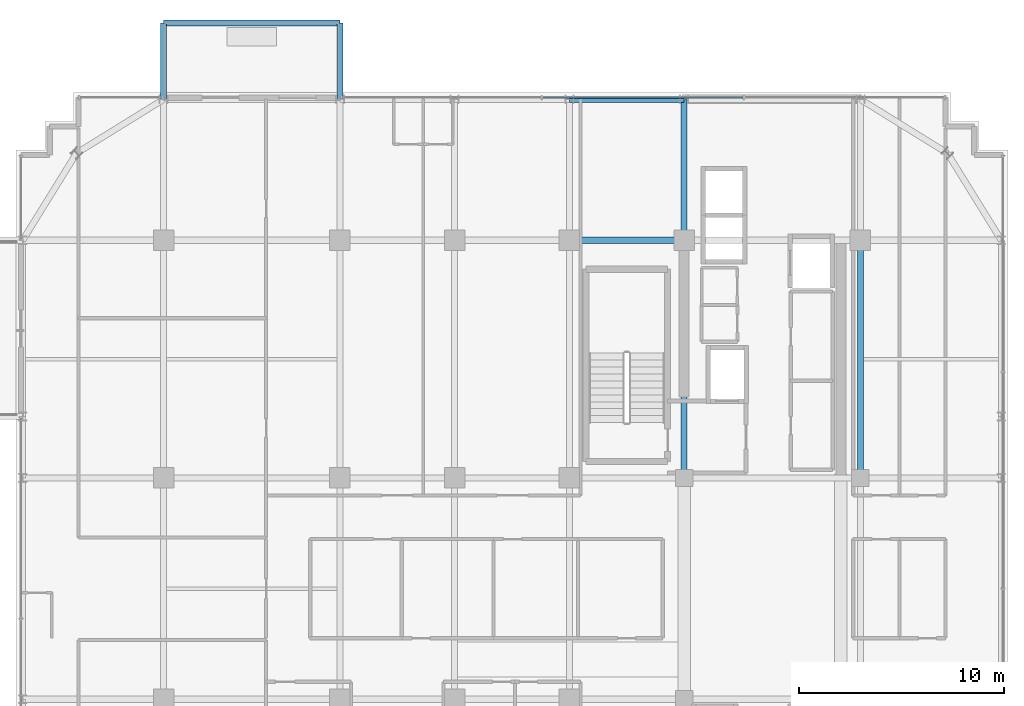
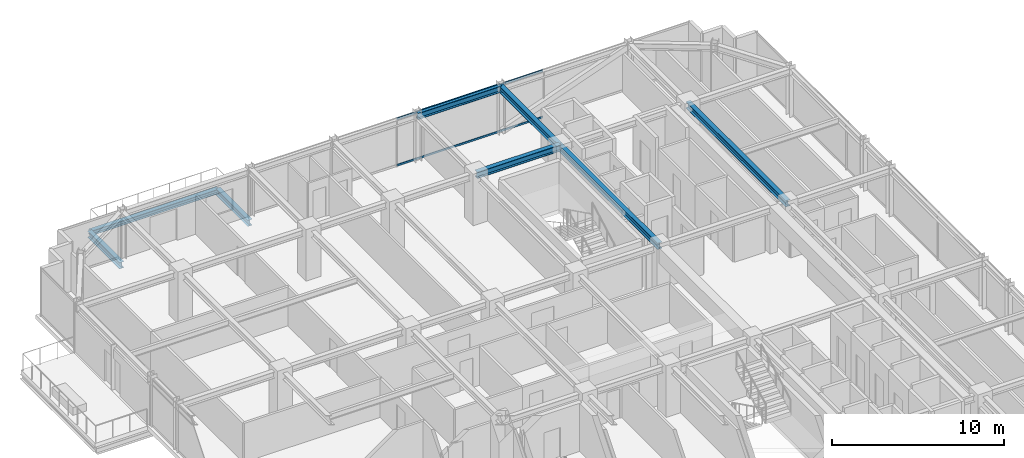
# One storey, part 24 of 36: 8 beams, 2 members, 1 element without a shape of its own.
"""IFC4 building model written with IfcOpenShell, lengths in metres."""

from ifc_helpers import new_model, si_unit, direction, frame, origin, origin_2d, place, context, subcontext, project, spatial, hollow_rectangle, i_section, extrude, source, transform, mapped, material, material_profile, profile_set, type_object, element, aggregate, save


model = new_model("IFC4")

# Units and contexts
model_context = context("Model", 3, precision=1e-05, world=origin(), true_north=direction((0.0, 1.0)))
body_context = subcontext(model_context, "Body", "Model", "MODEL_VIEW")
ifc_project = project(units=[si_unit("LENGTHUNIT", "METRE"), si_unit("AREAUNIT", "SQUARE_METRE"), si_unit("VOLUMEUNIT", "CUBIC_METRE"), si_unit("PLANEANGLEUNIT", "RADIAN"), si_unit("MASSUNIT", "GRAM", prefix="KILO")], contexts=[model_context])

# Site, building, storey
site_placement = place(None, origin())
site = spatial("IfcSite", under=ifc_project, at=site_placement, CompositionType="ELEMENT")
building_placement = place(site_placement, origin())
building = spatial("IfcBuilding", under=site, at=building_placement, Name="Nahalor Promenade Grand Hotel", CompositionType="ELEMENT")
storey_placement = place(building_placement, frame((0.0, 0.0, 241.89990234375)))
storey = spatial("IfcBuildingStorey", under=building, at=storey_placement, Name="L62", CompositionType="ELEMENT", Elevation=241.89990234375)

# Beams
ifc_material_1 = material(Name="Steel S355JR", Category="steel")
ifc_material_profile_1 = material_profile(ifc_material_1, i_section(OverallWidth=0.3, OverallDepth=0.32, WebThickness=0.0115, FlangeThickness=0.0205, at=origin_2d()), Name="HEB 320")
ifc_profile_set_1 = profile_set([ifc_material_profile_1], Name="Steel S355JR")
beam_type_1 = type_object("IfcBeamType", Name="Beam-BalcEdge-HEB320", PredefinedType="SPANDREL", material=ifc_profile_set_1)
shared_shape_1 = source(origin(), body_context, "Body", "SweptSolid", [
    extrude(i_section(OverallWidth=0.3, OverallDepth=0.32, WebThickness=0.0115, FlangeThickness=0.0205, at=origin_2d()), origin(), (0.0, 0.0, 1.0), 8.60009765625),
])
beam_1_placement = place(storey_placement, frame((-17.0, 27.60009765625, -0.43994140625), z_axis=(1.0, 0.0, 0.0), x_axis=(0.0, 1.0, 0.0)))
element("IfcBeam", 1, at=beam_1_placement, inside=storey, type_object=beam_type_1, Name="BM-L62-BC-01-F", PredefinedType="SPANDREL", context=body_context, shape_type="MappedRepresentation", body=[
    mapped(shared_shape_1, transform((0.0, 0.0, 0.0), scale=1.0)),
])
ifc_material_profile_2 = material_profile(ifc_material_1, i_section(OverallWidth=0.3, OverallDepth=0.45, WebThickness=0.014, FlangeThickness=0.026, at=origin_2d()), Name="HEB 450")
ifc_profile_set_2 = profile_set([ifc_material_profile_2], Name="Steel S355JR")
beam_type_2 = type_object("IfcBeamType", Name="Beam-Outrigger-HEB450", PredefinedType="BEAM", material=ifc_profile_set_2)
shared_shape_2 = source(origin(), body_context, "Body", "SweptSolid", [
    extrude(i_section(OverallWidth=0.3, OverallDepth=0.45, WebThickness=0.014, FlangeThickness=0.026, at=origin_2d()), origin(), (0.0, 0.0, 1.0), 3.72021484375),
])
for number, where, z_axis, x_axis, name in (
    (2, (-17.0, 23.8798828125, -0.5048828125), (0.0, 1.0, 0.0), (-1.0, 0.0, 0.0), "BM-L62-BC-01-1"),
    (3, (-8.39990234375, 23.8798828125, -0.5048828125), (0.0, 1.0, 0.0), (-1.0, 0.0, 0.0), "BM-L62-BC-01-2"),
):
    element("IfcBeam", number, at=place(storey_placement, frame(where, z_axis=z_axis, x_axis=x_axis)), inside=storey, type_object=beam_type_2, Name=name, PredefinedType="BEAM", context=body_context, shape_type="MappedRepresentation", body=[
        mapped(shared_shape_2, transform((0.0, 0.0, 0.0), scale=1.0)),
    ])
ifc_material_profile_3 = material_profile(ifc_material_1, i_section(OverallWidth=0.3, OverallDepth=0.45, WebThickness=0.014, FlangeThickness=0.026, at=origin_2d()), Name="HEB 450")
ifc_profile_set_3 = profile_set([ifc_material_profile_3], Name="Steel S355JR")
beam_type_3 = type_object("IfcBeamType", Name="Beam-Spandrel-HEB450", PredefinedType="SPANDREL", material=ifc_profile_set_3)
shared_shape_3 = source(origin(), body_context, "Body", "SweptSolid", [
    extrude(i_section(OverallWidth=0.3, OverallDepth=0.45, WebThickness=0.014, FlangeThickness=0.026, at=origin_2d()), origin(), (0.0, 0.0, 1.0), 5.599853515625),
])
beam_2_placement = place(storey_placement, frame((2.800048828125, 23.8798828125, 3.18505859375), z_axis=(1.0, 0.0, 0.0), x_axis=(0.0, 1.0, 0.0)))
element("IfcBeam", 4, at=beam_2_placement, inside=storey, type_object=beam_type_3, Name="BM-L62-SP-N-3", PredefinedType="SPANDREL", context=body_context, shape_type="MappedRepresentation", body=[
    mapped(shared_shape_3, transform((0.0, 0.0, 0.0), scale=1.0)),
])
ifc_material_profile_4 = material_profile(ifc_material_1, i_section(OverallWidth=0.3, OverallDepth=0.45, WebThickness=0.014, FlangeThickness=0.026, at=origin_2d()), Name="HEB 450")
ifc_profile_set_4 = profile_set([ifc_material_profile_4], Name="Steel S355JR")
beam_type_4 = type_object("IfcBeamType", Name="Beam-Girder-HEB450", PredefinedType="BEAM", material=ifc_profile_set_4)
shared_shape_4 = source(origin(), body_context, "Body", "SweptSolid", [
    extrude(i_section(OverallWidth=0.3, OverallDepth=0.45, WebThickness=0.014, FlangeThickness=0.026, at=origin_2d()), origin(), (0.0, 0.0, 1.0), 6.8798828125),
])
beam_3_placement = place(storey_placement, frame((8.39990234375, 17.0, 3.18505859375), z_axis=(0.0, 1.0, 0.0), x_axis=(-1.0, 0.0, 0.0)))
element("IfcBeam", 5, at=beam_3_placement, inside=storey, type_object=beam_type_4, Name="BM-L62-GY-4-4", PredefinedType="BEAM", context=body_context, shape_type="MappedRepresentation", body=[
    mapped(shared_shape_4, transform((0.0, 0.0, 0.0), scale=1.0)),
])
shared_shape_5 = source(origin(), body_context, "Body", "SweptSolid", [
    extrude(i_section(OverallWidth=0.3, OverallDepth=0.45, WebThickness=0.014, FlangeThickness=0.026, at=origin_2d()), origin(), (0.0, 0.0, 1.0), 5.599853515625),
])
beam_4_placement = place(storey_placement, frame((2.800048828125, 17.0, 3.18505859375), z_axis=(1.0, 0.0, 0.0), x_axis=(0.0, 1.0, 0.0)))
element("IfcBeam", 6, at=beam_4_placement, inside=storey, type_object=beam_type_4, Name="BM-L62-GX-3-4", PredefinedType="BEAM", context=body_context, shape_type="MappedRepresentation", body=[
    mapped(shared_shape_5, transform((0.0, 0.0, 0.0), scale=1.0)),
])
shared_shape_6 = source(origin(), body_context, "Body", "SweptSolid", [
    extrude(i_section(OverallWidth=0.3, OverallDepth=0.45, WebThickness=0.014, FlangeThickness=0.026, at=origin_2d()), origin(), (0.0, 0.0, 1.0), 11.60009765625),
])
for number, where, z_axis, x_axis, name in (
    (7, (8.39990234375, 5.39990234375, 3.18505859375), (0.0, 1.0, 0.0), (-1.0, 0.0, 0.0), "BM-L62-GY-4-3"),
    (8, (17.0, 5.39990234375, 3.18505859375), (0.0, 1.0, 0.0), (-1.0, 0.0, 0.0), "BM-L62-GY-5-3"),
):
    element("IfcBeam", number, at=place(storey_placement, frame(where, z_axis=z_axis, x_axis=x_axis)), inside=storey, type_object=beam_type_4, Name=name, PredefinedType="BEAM", context=body_context, shape_type="MappedRepresentation", body=[
        mapped(shared_shape_6, transform((0.0, 0.0, 0.0), scale=1.0)),
    ])

# Curtain wall, members
ifc_material_2 = material(Name="Anodised Bronze Aluminium EN AW-6063 T6", Category="aluminium")
curtain_wall_type = type_object("IfcCurtainWallType", Name="CW2 Typical Hotel Flush Bronze Unitised Curtain Wall", PredefinedType="USERDEFINED", material=ifc_material_2)
curtain_wall_placement = place(storey_placement, origin())
curtain_wall = element("IfcCurtainWall", 9, at=curtain_wall_placement, inside=storey, type_object=curtain_wall_type, Name="L62 Curtain Wall CW-L62-N-3", ObjectType="UNITISED_CURTAIN_WALL", PredefinedType="USERDEFINED")
ifc_material_profile_5 = material_profile(ifc_material_2, hollow_rectangle(XDim=0.065, YDim=0.13, WallThickness=0.004, at=origin_2d()), Name="CWT 65x130x4")
ifc_profile_set_5 = profile_set([ifc_material_profile_5], Name="Anodised Bronze Aluminium EN AW-6063 T6")
member_type = type_object("IfcMemberType", Name="CWT2 Typical Bronze Transom 65x130", PredefinedType="USERDEFINED", material=ifc_profile_set_5)
shared_shape_7 = source(origin(), body_context, "Body", "SweptSolid", [
    extrude(hollow_rectangle(XDim=0.065, YDim=0.13, WallThickness=0.004, at=origin_2d()), origin(), (0.0, 0.0, 1.0), 9.788330078125),
])
member_1_placement = place(storey_placement, frame((1.48583984375, 23.9599609375, 0.065185546875), z_axis=(1.0, 0.0, 0.0), x_axis=(0.0, 1.0, 0.0)))
member_1 = element("IfcMember", 10, at=member_1_placement, type_object=member_type, Name="CW-L62-N-3 Transom 1-0", ObjectType="TRANSOM", PredefinedType="USERDEFINED", context=body_context, shape_type="MappedRepresentation", body=[
    mapped(shared_shape_7, transform((0.0, 0.0, 0.0), scale=1.0)),
])
member_2_placement = place(storey_placement, frame((1.48583984375, 23.9599609375, 3.34521484375), z_axis=(1.0, 0.0, 0.0), x_axis=(0.0, 1.0, 0.0)))
member_2 = element("IfcMember", 11, at=member_2_placement, type_object=member_type, Name="CW-L62-N-3 Transom 1-1", ObjectType="TRANSOM", PredefinedType="USERDEFINED", context=body_context, shape_type="MappedRepresentation", body=[
    mapped(shared_shape_7, transform((0.0, 0.0, 0.0), scale=1.0)),
])
aggregate(curtain_wall, [member_1, member_2])

save(model, "model.ifc")
